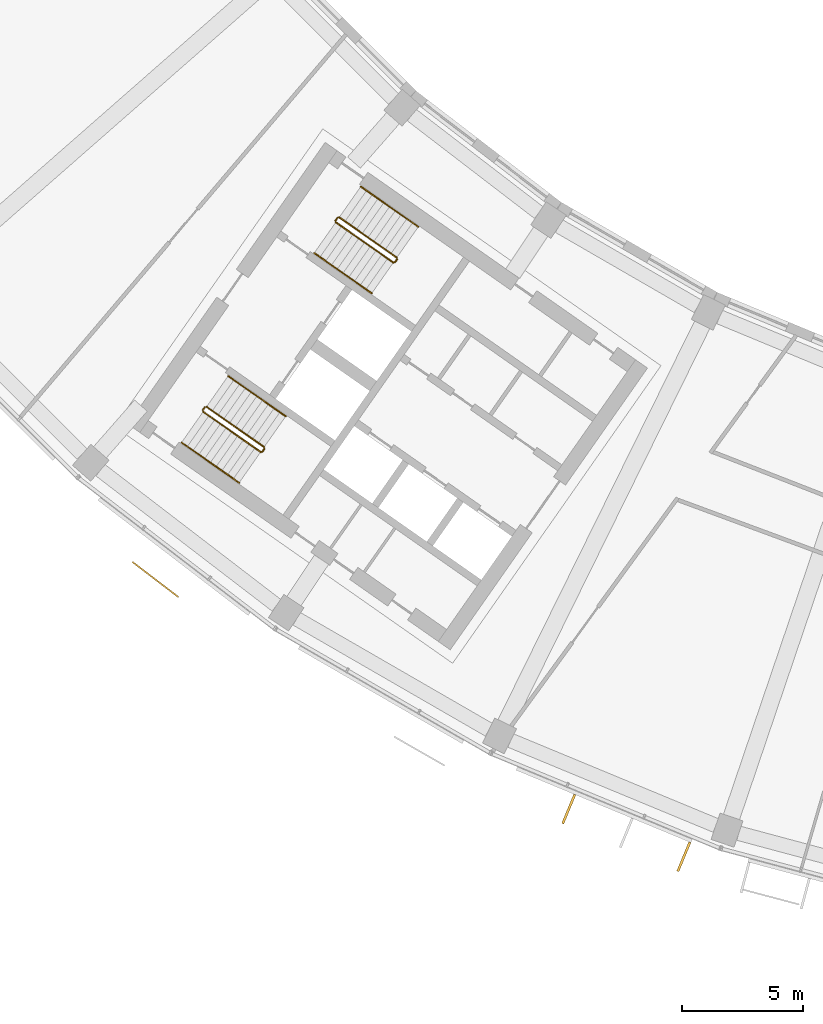
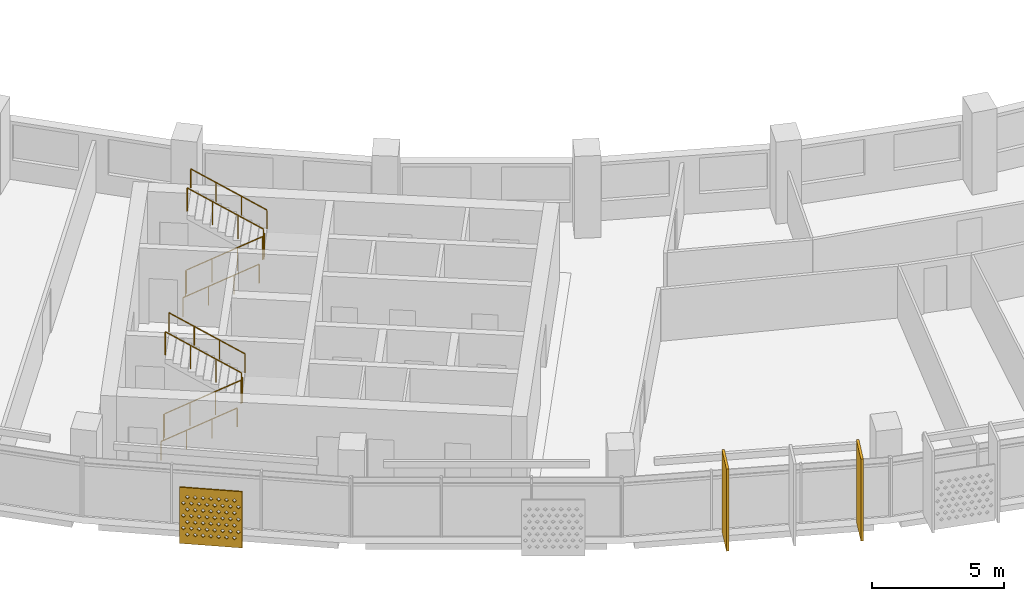
# One storey, part 23 of 27: 10 railings, 3 shading devices.
"""IFC4 building model written with IfcOpenShell, lengths in metres."""

from ifc_helpers import new_model, si_unit, direction, frame, origin, origin_2d, place, context, subcontext, project, spatial, polyline, rectangle, circle, outline, extrude, material, material_profile, profile_set, type_object, element, save


model = new_model("IFC4")

# Units and contexts
model_context = context("Model", 3, precision=1e-05, world=origin(), true_north=direction((0.0, 1.0)))
body_context = subcontext(model_context, "Body", "Model", "MODEL_VIEW")
ifc_project = project(units=[si_unit("LENGTHUNIT", "METRE"), si_unit("AREAUNIT", "SQUARE_METRE"), si_unit("VOLUMEUNIT", "CUBIC_METRE"), si_unit("PLANEANGLEUNIT", "RADIAN"), si_unit("MASSUNIT", "GRAM", prefix="KILO")], contexts=[model_context])

# Site, building, storey
site_placement = place(None, origin())
site = spatial("IfcSite", under=ifc_project, at=site_placement, CompositionType="ELEMENT")
building_placement = place(site_placement, origin())
building = spatial("IfcBuilding", under=site, at=building_placement, Name="Qamariyya Broadcast Tower", CompositionType="ELEMENT")
storey_placement = place(building_placement, frame((0.0, 0.0, 237.89990234375)))
storey = spatial("IfcBuildingStorey", under=building, at=storey_placement, Name="L57", CompositionType="ELEMENT", Elevation=237.89990234375)

# Shading device
ifc_material_1 = material(Name="Perforated glazed terracotta", Category="masonry")
ifc_material_profile_1 = material_profile(ifc_material_1, outline(polyline([(-1.199951171875, -1.300048828125), (1.199951171875, -1.300048828125), (1.199951171875, 1.300048828125), (-1.199951171875, 1.300048828125), (-1.199951171875, -1.300048828125)]), holes=[polyline([(-0.81494140625, -0.86669921875), (-0.89990234375, -0.78173828125), (-0.985107421875, -0.86669921875), (-0.89990234375, -0.95166015625), (-0.81494140625, -0.86669921875)]), polyline([(-0.514892578125, -0.86669921875), (-0.60009765625, -0.78173828125), (-0.68505859375, -0.86669921875), (-0.60009765625, -0.95166015625), (-0.514892578125, -0.86669921875)]), polyline([(-0.215087890625, -0.86669921875), (-0.300048828125, -0.78173828125), (-0.385009765625, -0.86669921875), (-0.300048828125, -0.95166015625), (-0.215087890625, -0.86669921875)]), polyline([(0.0849609375, -0.86669921875), (0.0, -0.78173828125), (-0.0849609375, -0.86669921875), (0.0, -0.95166015625), (0.0849609375, -0.86669921875)]), polyline([(0.385009765625, -0.86669921875), (0.300048828125, -0.78173828125), (0.215087890625, -0.86669921875), (0.300048828125, -0.95166015625), (0.385009765625, -0.86669921875)]), polyline([(0.68505859375, -0.86669921875), (0.60009765625, -0.78173828125), (0.514892578125, -0.86669921875), (0.60009765625, -0.95166015625), (0.68505859375, -0.86669921875)]), polyline([(0.985107421875, -0.86669921875), (0.89990234375, -0.78173828125), (0.81494140625, -0.86669921875), (0.89990234375, -0.95166015625), (0.985107421875, -0.86669921875)]), polyline([(-0.965087890625, -0.577880859375), (-1.050048828125, -0.49267578125), (-1.135009765625, -0.577880859375), (-1.050048828125, -0.662841796875), (-0.965087890625, -0.577880859375)]), polyline([(-0.6650390625, -0.577880859375), (-0.75, -0.49267578125), (-0.8349609375, -0.577880859375), (-0.75, -0.662841796875), (-0.6650390625, -0.577880859375)]), polyline([(-0.364990234375, -0.577880859375), (-0.449951171875, -0.49267578125), (-0.534912109375, -0.577880859375), (-0.449951171875, -0.662841796875), (-0.364990234375, -0.577880859375)]), polyline([(-0.06494140625, -0.577880859375), (-0.14990234375, -0.49267578125), (-0.235107421875, -0.577880859375), (-0.14990234375, -0.662841796875), (-0.06494140625, -0.577880859375)]), polyline([(0.235107421875, -0.577880859375), (0.14990234375, -0.49267578125), (0.06494140625, -0.577880859375), (0.14990234375, -0.662841796875), (0.235107421875, -0.577880859375)]), polyline([(0.534912109375, -0.577880859375), (0.449951171875, -0.49267578125), (0.364990234375, -0.577880859375), (0.449951171875, -0.662841796875), (0.534912109375, -0.577880859375)]), polyline([(0.8349609375, -0.577880859375), (0.75, -0.49267578125), (0.6650390625, -0.577880859375), (0.75, -0.662841796875), (0.8349609375, -0.577880859375)]), polyline([(1.135009765625, -0.577880859375), (1.050048828125, -0.49267578125), (0.965087890625, -0.577880859375), (1.050048828125, -0.662841796875), (1.135009765625, -0.577880859375)]), polyline([(-0.81494140625, -0.288818359375), (-0.89990234375, -0.203857421875), (-0.985107421875, -0.288818359375), (-0.89990234375, -0.373779296875), (-0.81494140625, -0.288818359375)]), polyline([(-0.514892578125, -0.288818359375), (-0.60009765625, -0.203857421875), (-0.68505859375, -0.288818359375), (-0.60009765625, -0.373779296875), (-0.514892578125, -0.288818359375)]), polyline([(-0.215087890625, -0.288818359375), (-0.300048828125, -0.203857421875), (-0.385009765625, -0.288818359375), (-0.300048828125, -0.373779296875), (-0.215087890625, -0.288818359375)]), polyline([(0.0849609375, -0.288818359375), (0.0, -0.203857421875), (-0.0849609375, -0.288818359375), (0.0, -0.373779296875), (0.0849609375, -0.288818359375)]), polyline([(0.385009765625, -0.288818359375), (0.300048828125, -0.203857421875), (0.215087890625, -0.288818359375), (0.300048828125, -0.373779296875), (0.385009765625, -0.288818359375)]), polyline([(0.68505859375, -0.288818359375), (0.60009765625, -0.203857421875), (0.514892578125, -0.288818359375), (0.60009765625, -0.373779296875), (0.68505859375, -0.288818359375)]), polyline([(0.985107421875, -0.288818359375), (0.89990234375, -0.203857421875), (0.81494140625, -0.288818359375), (0.89990234375, -0.373779296875), (0.985107421875, -0.288818359375)]), polyline([(-0.965087890625, 0.0), (-1.050048828125, 0.0849609375), (-1.135009765625, 0.0), (-1.050048828125, -0.0849609375), (-0.965087890625, 0.0)]), polyline([(-0.6650390625, 0.0), (-0.75, 0.0849609375), (-0.8349609375, 0.0), (-0.75, -0.0849609375), (-0.6650390625, 0.0)]), polyline([(-0.364990234375, 0.0), (-0.449951171875, 0.0849609375), (-0.534912109375, 0.0), (-0.449951171875, -0.0849609375), (-0.364990234375, 0.0)]), polyline([(-0.06494140625, 0.0), (-0.14990234375, 0.0849609375), (-0.235107421875, 0.0), (-0.14990234375, -0.0849609375), (-0.06494140625, 0.0)]), polyline([(0.235107421875, 0.0), (0.14990234375, 0.0849609375), (0.06494140625, 0.0), (0.14990234375, -0.0849609375), (0.235107421875, 0.0)]), polyline([(0.534912109375, 0.0), (0.449951171875, 0.0849609375), (0.364990234375, 0.0), (0.449951171875, -0.0849609375), (0.534912109375, 0.0)]), polyline([(0.8349609375, 0.0), (0.75, 0.0849609375), (0.6650390625, 0.0), (0.75, -0.0849609375), (0.8349609375, 0.0)]), polyline([(1.135009765625, 0.0), (1.050048828125, 0.0849609375), (0.965087890625, 0.0), (1.050048828125, -0.0849609375), (1.135009765625, 0.0)]), polyline([(-0.81494140625, 0.288818359375), (-0.89990234375, 0.373779296875), (-0.985107421875, 0.288818359375), (-0.89990234375, 0.203857421875), (-0.81494140625, 0.288818359375)]), polyline([(-0.514892578125, 0.288818359375), (-0.60009765625, 0.373779296875), (-0.68505859375, 0.288818359375), (-0.60009765625, 0.203857421875), (-0.514892578125, 0.288818359375)]), polyline([(-0.215087890625, 0.288818359375), (-0.300048828125, 0.373779296875), (-0.385009765625, 0.288818359375), (-0.300048828125, 0.203857421875), (-0.215087890625, 0.288818359375)]), polyline([(0.0849609375, 0.288818359375), (0.0, 0.373779296875), (-0.0849609375, 0.288818359375), (0.0, 0.203857421875), (0.0849609375, 0.288818359375)]), polyline([(0.385009765625, 0.288818359375), (0.300048828125, 0.373779296875), (0.215087890625, 0.288818359375), (0.300048828125, 0.203857421875), (0.385009765625, 0.288818359375)]), polyline([(0.68505859375, 0.288818359375), (0.60009765625, 0.373779296875), (0.514892578125, 0.288818359375), (0.60009765625, 0.203857421875), (0.68505859375, 0.288818359375)]), polyline([(0.985107421875, 0.288818359375), (0.89990234375, 0.373779296875), (0.81494140625, 0.288818359375), (0.89990234375, 0.203857421875), (0.985107421875, 0.288818359375)]), polyline([(-0.965087890625, 0.577880859375), (-1.050048828125, 0.662841796875), (-1.135009765625, 0.577880859375), (-1.050048828125, 0.49267578125), (-0.965087890625, 0.577880859375)]), polyline([(-0.6650390625, 0.577880859375), (-0.75, 0.662841796875), (-0.8349609375, 0.577880859375), (-0.75, 0.49267578125), (-0.6650390625, 0.577880859375)]), polyline([(-0.364990234375, 0.577880859375), (-0.449951171875, 0.662841796875), (-0.534912109375, 0.577880859375), (-0.449951171875, 0.49267578125), (-0.364990234375, 0.577880859375)]), polyline([(-0.06494140625, 0.577880859375), (-0.14990234375, 0.662841796875), (-0.235107421875, 0.577880859375), (-0.14990234375, 0.49267578125), (-0.06494140625, 0.577880859375)]), polyline([(0.235107421875, 0.577880859375), (0.14990234375, 0.662841796875), (0.06494140625, 0.577880859375), (0.14990234375, 0.49267578125), (0.235107421875, 0.577880859375)]), polyline([(0.534912109375, 0.577880859375), (0.449951171875, 0.662841796875), (0.364990234375, 0.577880859375), (0.449951171875, 0.49267578125), (0.534912109375, 0.577880859375)]), polyline([(0.8349609375, 0.577880859375), (0.75, 0.662841796875), (0.6650390625, 0.577880859375), (0.75, 0.49267578125), (0.8349609375, 0.577880859375)]), polyline([(1.135009765625, 0.577880859375), (1.050048828125, 0.662841796875), (0.965087890625, 0.577880859375), (1.050048828125, 0.49267578125), (1.135009765625, 0.577880859375)]), polyline([(-0.81494140625, 0.86669921875), (-0.89990234375, 0.95166015625), (-0.985107421875, 0.86669921875), (-0.89990234375, 0.78173828125), (-0.81494140625, 0.86669921875)]), polyline([(-0.514892578125, 0.86669921875), (-0.60009765625, 0.95166015625), (-0.68505859375, 0.86669921875), (-0.60009765625, 0.78173828125), (-0.514892578125, 0.86669921875)]), polyline([(-0.215087890625, 0.86669921875), (-0.300048828125, 0.95166015625), (-0.385009765625, 0.86669921875), (-0.300048828125, 0.78173828125), (-0.215087890625, 0.86669921875)]), polyline([(0.0849609375, 0.86669921875), (0.0, 0.95166015625), (-0.0849609375, 0.86669921875), (0.0, 0.78173828125), (0.0849609375, 0.86669921875)]), polyline([(0.385009765625, 0.86669921875), (0.300048828125, 0.95166015625), (0.215087890625, 0.86669921875), (0.300048828125, 0.78173828125), (0.385009765625, 0.86669921875)]), polyline([(0.68505859375, 0.86669921875), (0.60009765625, 0.95166015625), (0.514892578125, 0.86669921875), (0.60009765625, 0.78173828125), (0.68505859375, 0.86669921875)]), polyline([(0.985107421875, 0.86669921875), (0.89990234375, 0.95166015625), (0.81494140625, 0.86669921875), (0.89990234375, 0.78173828125), (0.985107421875, 0.86669921875)])]))
ifc_profile_set_1 = profile_set([ifc_material_profile_1], Name="Perforated glazed terracotta")
shading_device_type_1 = type_object("IfcShadingDeviceType", Name="Perforated terracotta screen 2400 x 2600", PredefinedType="USERDEFINED", material=ifc_profile_set_1)
shading_device_placement = place(storey_placement, frame((-48.578369140625, -63.249267578125, 1.35009765625), z_axis=(-0.607147566278, -0.794589096806, 0.0), x_axis=(0.794589096806, -0.607147566278, 0.0)))
element("IfcShadingDevice", 1, at=shading_device_placement, inside=storey, type_object=shading_device_type_1, Name="e-scr-L57-03-1", ObjectType="SCREEN", PredefinedType="USERDEFINED", context=body_context, shape_type="SweptSolid", body=[
    extrude(outline(polyline([(-1.199951171875, -1.300048828125), (1.199951171875, -1.300048828125), (1.199951171875, 1.300048828125), (-1.199951171875, 1.300048828125), (-1.199951171875, -1.300048828125)]), holes=[polyline([(-0.81494140625, -0.86669921875), (-0.89990234375, -0.78173828125), (-0.985107421875, -0.86669921875), (-0.89990234375, -0.95166015625), (-0.81494140625, -0.86669921875)]), polyline([(-0.514892578125, -0.86669921875), (-0.60009765625, -0.78173828125), (-0.68505859375, -0.86669921875), (-0.60009765625, -0.95166015625), (-0.514892578125, -0.86669921875)]), polyline([(-0.215087890625, -0.86669921875), (-0.300048828125, -0.78173828125), (-0.385009765625, -0.86669921875), (-0.300048828125, -0.95166015625), (-0.215087890625, -0.86669921875)]), polyline([(0.0849609375, -0.86669921875), (0.0, -0.78173828125), (-0.0849609375, -0.86669921875), (0.0, -0.95166015625), (0.0849609375, -0.86669921875)]), polyline([(0.385009765625, -0.86669921875), (0.300048828125, -0.78173828125), (0.215087890625, -0.86669921875), (0.300048828125, -0.95166015625), (0.385009765625, -0.86669921875)]), polyline([(0.68505859375, -0.86669921875), (0.60009765625, -0.78173828125), (0.514892578125, -0.86669921875), (0.60009765625, -0.95166015625), (0.68505859375, -0.86669921875)]), polyline([(0.985107421875, -0.86669921875), (0.89990234375, -0.78173828125), (0.81494140625, -0.86669921875), (0.89990234375, -0.95166015625), (0.985107421875, -0.86669921875)]), polyline([(-0.965087890625, -0.577880859375), (-1.050048828125, -0.49267578125), (-1.135009765625, -0.577880859375), (-1.050048828125, -0.662841796875), (-0.965087890625, -0.577880859375)]), polyline([(-0.6650390625, -0.577880859375), (-0.75, -0.49267578125), (-0.8349609375, -0.577880859375), (-0.75, -0.662841796875), (-0.6650390625, -0.577880859375)]), polyline([(-0.364990234375, -0.577880859375), (-0.449951171875, -0.49267578125), (-0.534912109375, -0.577880859375), (-0.449951171875, -0.662841796875), (-0.364990234375, -0.577880859375)]), polyline([(-0.06494140625, -0.577880859375), (-0.14990234375, -0.49267578125), (-0.235107421875, -0.577880859375), (-0.14990234375, -0.662841796875), (-0.06494140625, -0.577880859375)]), polyline([(0.235107421875, -0.577880859375), (0.14990234375, -0.49267578125), (0.06494140625, -0.577880859375), (0.14990234375, -0.662841796875), (0.235107421875, -0.577880859375)]), polyline([(0.534912109375, -0.577880859375), (0.449951171875, -0.49267578125), (0.364990234375, -0.577880859375), (0.449951171875, -0.662841796875), (0.534912109375, -0.577880859375)]), polyline([(0.8349609375, -0.577880859375), (0.75, -0.49267578125), (0.6650390625, -0.577880859375), (0.75, -0.662841796875), (0.8349609375, -0.577880859375)]), polyline([(1.135009765625, -0.577880859375), (1.050048828125, -0.49267578125), (0.965087890625, -0.577880859375), (1.050048828125, -0.662841796875), (1.135009765625, -0.577880859375)]), polyline([(-0.81494140625, -0.288818359375), (-0.89990234375, -0.203857421875), (-0.985107421875, -0.288818359375), (-0.89990234375, -0.373779296875), (-0.81494140625, -0.288818359375)]), polyline([(-0.514892578125, -0.288818359375), (-0.60009765625, -0.203857421875), (-0.68505859375, -0.288818359375), (-0.60009765625, -0.373779296875), (-0.514892578125, -0.288818359375)]), polyline([(-0.215087890625, -0.288818359375), (-0.300048828125, -0.203857421875), (-0.385009765625, -0.288818359375), (-0.300048828125, -0.373779296875), (-0.215087890625, -0.288818359375)]), polyline([(0.0849609375, -0.288818359375), (0.0, -0.203857421875), (-0.0849609375, -0.288818359375), (0.0, -0.373779296875), (0.0849609375, -0.288818359375)]), polyline([(0.385009765625, -0.288818359375), (0.300048828125, -0.203857421875), (0.215087890625, -0.288818359375), (0.300048828125, -0.373779296875), (0.385009765625, -0.288818359375)]), polyline([(0.68505859375, -0.288818359375), (0.60009765625, -0.203857421875), (0.514892578125, -0.288818359375), (0.60009765625, -0.373779296875), (0.68505859375, -0.288818359375)]), polyline([(0.985107421875, -0.288818359375), (0.89990234375, -0.203857421875), (0.81494140625, -0.288818359375), (0.89990234375, -0.373779296875), (0.985107421875, -0.288818359375)]), polyline([(-0.965087890625, 0.0), (-1.050048828125, 0.0849609375), (-1.135009765625, 0.0), (-1.050048828125, -0.0849609375), (-0.965087890625, 0.0)]), polyline([(-0.6650390625, 0.0), (-0.75, 0.0849609375), (-0.8349609375, 0.0), (-0.75, -0.0849609375), (-0.6650390625, 0.0)]), polyline([(-0.364990234375, 0.0), (-0.449951171875, 0.0849609375), (-0.534912109375, 0.0), (-0.449951171875, -0.0849609375), (-0.364990234375, 0.0)]), polyline([(-0.06494140625, 0.0), (-0.14990234375, 0.0849609375), (-0.235107421875, 0.0), (-0.14990234375, -0.0849609375), (-0.06494140625, 0.0)]), polyline([(0.235107421875, 0.0), (0.14990234375, 0.0849609375), (0.06494140625, 0.0), (0.14990234375, -0.0849609375), (0.235107421875, 0.0)]), polyline([(0.534912109375, 0.0), (0.449951171875, 0.0849609375), (0.364990234375, 0.0), (0.449951171875, -0.0849609375), (0.534912109375, 0.0)]), polyline([(0.8349609375, 0.0), (0.75, 0.0849609375), (0.6650390625, 0.0), (0.75, -0.0849609375), (0.8349609375, 0.0)]), polyline([(1.135009765625, 0.0), (1.050048828125, 0.0849609375), (0.965087890625, 0.0), (1.050048828125, -0.0849609375), (1.135009765625, 0.0)]), polyline([(-0.81494140625, 0.288818359375), (-0.89990234375, 0.373779296875), (-0.985107421875, 0.288818359375), (-0.89990234375, 0.203857421875), (-0.81494140625, 0.288818359375)]), polyline([(-0.514892578125, 0.288818359375), (-0.60009765625, 0.373779296875), (-0.68505859375, 0.288818359375), (-0.60009765625, 0.203857421875), (-0.514892578125, 0.288818359375)]), polyline([(-0.215087890625, 0.288818359375), (-0.300048828125, 0.373779296875), (-0.385009765625, 0.288818359375), (-0.300048828125, 0.203857421875), (-0.215087890625, 0.288818359375)]), polyline([(0.0849609375, 0.288818359375), (0.0, 0.373779296875), (-0.0849609375, 0.288818359375), (0.0, 0.203857421875), (0.0849609375, 0.288818359375)]), polyline([(0.385009765625, 0.288818359375), (0.300048828125, 0.373779296875), (0.215087890625, 0.288818359375), (0.300048828125, 0.203857421875), (0.385009765625, 0.288818359375)]), polyline([(0.68505859375, 0.288818359375), (0.60009765625, 0.373779296875), (0.514892578125, 0.288818359375), (0.60009765625, 0.203857421875), (0.68505859375, 0.288818359375)]), polyline([(0.985107421875, 0.288818359375), (0.89990234375, 0.373779296875), (0.81494140625, 0.288818359375), (0.89990234375, 0.203857421875), (0.985107421875, 0.288818359375)]), polyline([(-0.965087890625, 0.577880859375), (-1.050048828125, 0.662841796875), (-1.135009765625, 0.577880859375), (-1.050048828125, 0.49267578125), (-0.965087890625, 0.577880859375)]), polyline([(-0.6650390625, 0.577880859375), (-0.75, 0.662841796875), (-0.8349609375, 0.577880859375), (-0.75, 0.49267578125), (-0.6650390625, 0.577880859375)]), polyline([(-0.364990234375, 0.577880859375), (-0.449951171875, 0.662841796875), (-0.534912109375, 0.577880859375), (-0.449951171875, 0.49267578125), (-0.364990234375, 0.577880859375)]), polyline([(-0.06494140625, 0.577880859375), (-0.14990234375, 0.662841796875), (-0.235107421875, 0.577880859375), (-0.14990234375, 0.49267578125), (-0.06494140625, 0.577880859375)]), polyline([(0.235107421875, 0.577880859375), (0.14990234375, 0.662841796875), (0.06494140625, 0.577880859375), (0.14990234375, 0.49267578125), (0.235107421875, 0.577880859375)]), polyline([(0.534912109375, 0.577880859375), (0.449951171875, 0.662841796875), (0.364990234375, 0.577880859375), (0.449951171875, 0.49267578125), (0.534912109375, 0.577880859375)]), polyline([(0.8349609375, 0.577880859375), (0.75, 0.662841796875), (0.6650390625, 0.577880859375), (0.75, 0.49267578125), (0.8349609375, 0.577880859375)]), polyline([(1.135009765625, 0.577880859375), (1.050048828125, 0.662841796875), (0.965087890625, 0.577880859375), (1.050048828125, 0.49267578125), (1.135009765625, 0.577880859375)]), polyline([(-0.81494140625, 0.86669921875), (-0.89990234375, 0.95166015625), (-0.985107421875, 0.86669921875), (-0.89990234375, 0.78173828125), (-0.81494140625, 0.86669921875)]), polyline([(-0.514892578125, 0.86669921875), (-0.60009765625, 0.95166015625), (-0.68505859375, 0.86669921875), (-0.60009765625, 0.78173828125), (-0.514892578125, 0.86669921875)]), polyline([(-0.215087890625, 0.86669921875), (-0.300048828125, 0.95166015625), (-0.385009765625, 0.86669921875), (-0.300048828125, 0.78173828125), (-0.215087890625, 0.86669921875)]), polyline([(0.0849609375, 0.86669921875), (0.0, 0.95166015625), (-0.0849609375, 0.86669921875), (0.0, 0.78173828125), (0.0849609375, 0.86669921875)]), polyline([(0.385009765625, 0.86669921875), (0.300048828125, 0.95166015625), (0.215087890625, 0.86669921875), (0.300048828125, 0.78173828125), (0.385009765625, 0.86669921875)]), polyline([(0.68505859375, 0.86669921875), (0.60009765625, 0.95166015625), (0.514892578125, 0.86669921875), (0.60009765625, 0.78173828125), (0.68505859375, 0.86669921875)]), polyline([(0.985107421875, 0.86669921875), (0.89990234375, 0.95166015625), (0.81494140625, 0.86669921875), (0.89990234375, 0.78173828125), (0.985107421875, 0.86669921875)])]), origin(), (0.0, 0.0, 1.0), 0.059814453125),
])

# Railings
ifc_material_2 = material(Name="Painted steel", Category="steel")
railing_type_1 = type_object("IfcRailingType", Name="Stair guard", PredefinedType="GUARDRAIL", material=ifc_material_2)
railing_1_placement = place(storey_placement, frame((-41.146728515625, -48.52490234375, 0.1728515625)))
element("IfcRailing", 2, at=railing_1_placement, inside=storey, type_object=railing_type_1, Name="L57 ST-W2 stair guard 1", PredefinedType="GUARDRAIL", context=body_context, shape_type="SweptSolid", body=[
    extrude(circle(Radius=0.02392578125, at=origin_2d()), frame((0.0, 0.0, 1.076171875), z_axis=(0.703770094002, -0.492783725636, 0.511734163933), x_axis=(0.573575343427, 0.819152809562, 0.0)), (0.0, 0.0, 1.0), 3.37548828125),
    extrude(circle(Radius=0.02392578125, at=origin_2d()), frame((2.37548828125, -1.663330078125, 2.80322265625), z_axis=(0.985059694769, 0.172213233351, 0.0), x_axis=(-0.172213233351, 0.985059694769, 0.0)), (0.0, 0.0, 1.0), 0.07080078125),
    extrude(circle(Radius=0.02392578125, at=origin_2d()), frame((2.4453125, -1.651123046875, 2.80322265625), z_axis=(0.572588637393, 0.819842821722, 0.0), x_axis=(-0.819842821722, 0.572588637393, 0.0)), (0.0, 0.0, 1.0), 0.150146484375),
    extrude(circle(Radius=0.02099609375, at=origin_2d()), origin(), (0.0, 0.0, 1.0), 1.052001953125),
    extrude(circle(Radius=0.02099609375, at=origin_2d()), frame((0.791748046875, -0.554443359375, 0.57568359375)), (0.0, 0.0, 1.0), 1.052001953125),
    extrude(circle(Radius=0.02099609375, at=origin_2d()), frame((1.583740234375, -1.10888671875, 1.151611328125)), (0.0, 0.0, 1.0), 1.052001953125),
    extrude(circle(Radius=0.02099609375, at=origin_2d()), frame((2.37548828125, -1.663330078125, 1.727294921875)), (0.0, 0.0, 1.0), 1.052001953125),
    extrude(circle(Radius=0.02099609375, at=origin_2d()), frame((2.4453125, -1.651123046875, 1.727294921875)), (0.0, 0.0, 1.0), 1.052001953125),
    extrude(circle(Radius=0.02099609375, at=origin_2d()), frame((2.53125, -1.528076171875, 1.727294921875)), (0.0, 0.0, 1.0), 1.052001953125),
])
railing_2_placement = place(storey_placement, frame((-38.627685546875, -49.9833984375, 2.07275390625)))
element("IfcRailing", 3, at=railing_2_placement, inside=storey, type_object=railing_type_1, Name="L57 ST-W2 stair guard 2", PredefinedType="GUARDRAIL", context=body_context, shape_type="SweptSolid", body=[
    extrude(circle(Radius=0.02392578125, at=origin_2d()), frame((0.0, 0.0, 1.076171875), z_axis=(-0.703770094002, 0.492783725636, 0.511734163933), x_axis=(-0.573575343427, -0.819152809562, 0.0)), (0.0, 0.0, 1.0), 3.37548828125),
    extrude(circle(Radius=0.02099609375, at=origin_2d()), origin(), (0.0, 0.0, 1.0), 1.052001953125),
    extrude(circle(Radius=0.02099609375, at=origin_2d()), frame((-0.791748046875, 0.554443359375, 0.57568359375)), (0.0, 0.0, 1.0), 1.052001953125),
    extrude(circle(Radius=0.02099609375, at=origin_2d()), frame((-1.583740234375, 1.10888671875, 1.151611328125)), (0.0, 0.0, 1.0), 1.052001953125),
    extrude(circle(Radius=0.02099609375, at=origin_2d()), frame((-2.37548828125, 1.663330078125, 1.727294921875)), (0.0, 0.0, 1.0), 1.052001953125),
])
railing_3_placement = place(storey_placement, frame((-41.158935546875, -48.455322265625, 0.0)))
element("IfcRailing", 4, at=railing_3_placement, inside=storey, type_object=railing_type_1, Name="L57 ST-W2 stair guard 3", PredefinedType="GUARDRAIL", context=body_context, shape_type="SweptSolid", body=[
    extrude(circle(Radius=0.02392578125, at=origin_2d()), frame((0.0, 0.0, 1.076171875), z_axis=(0.572588637393, 0.819842821722, 0.0), x_axis=(-0.819842821722, 0.572588637393, 0.0)), (0.0, 0.0, 1.0), 0.150146484375),
    extrude(circle(Radius=0.02099609375, at=origin_2d()), origin(), (0.0, 0.0, 1.0), 1.052001953125),
    extrude(circle(Radius=0.02099609375, at=origin_2d()), frame((0.0859375, 0.123046875, 0.0)), (0.0, 0.0, 1.0), 1.052001953125),
])
railing_4_placement = place(storey_placement, frame((-46.624267578125, -56.34765625, 0.1728515625)))
element("IfcRailing", 5, at=railing_4_placement, inside=storey, type_object=railing_type_1, Name="L57 ST-W1 stair guard 1", PredefinedType="GUARDRAIL", context=body_context, shape_type="SweptSolid", body=[
    extrude(circle(Radius=0.02392578125, at=origin_2d()), frame((0.0, 0.0, 1.076171875), z_axis=(0.703745009021, -0.492838488332, 0.511715923826), x_axis=(0.573631830683, 0.819113253969, 0.0)), (0.0, 0.0, 1.0), 3.37548828125),
    extrude(circle(Radius=0.02392578125, at=origin_2d()), frame((2.37548828125, -1.66357421875, 2.80322265625), z_axis=(0.984363469884, 0.176149252506, 0.0), x_axis=(-0.176149252506, 0.984363469884, 0.0)), (0.0, 0.0, 1.0), 0.07080078125),
    extrude(circle(Radius=0.02392578125, at=origin_2d()), frame((2.445068359375, -1.651123046875, 2.80322265625), z_axis=(0.574444878118, 0.818543268254, 0.0), x_axis=(-0.818543268254, 0.574444878118, 0.0)), (0.0, 0.0, 1.0), 0.150146484375),
    extrude(circle(Radius=0.02099609375, at=origin_2d()), origin(), (0.0, 0.0, 1.0), 1.052001953125),
    extrude(circle(Radius=0.02099609375, at=origin_2d()), frame((0.791748046875, -0.554443359375, 0.57568359375)), (0.0, 0.0, 1.0), 1.052001953125),
    extrude(circle(Radius=0.02099609375, at=origin_2d()), frame((1.583740234375, -1.109130859375, 1.151611328125)), (0.0, 0.0, 1.0), 1.052001953125),
    extrude(circle(Radius=0.02099609375, at=origin_2d()), frame((2.37548828125, -1.66357421875, 1.727294921875)), (0.0, 0.0, 1.0), 1.052001953125),
    extrude(circle(Radius=0.02099609375, at=origin_2d()), frame((2.445068359375, -1.651123046875, 1.727294921875)), (0.0, 0.0, 1.0), 1.052001953125),
    extrude(circle(Radius=0.02099609375, at=origin_2d()), frame((2.53125, -1.5283203125, 1.727294921875)), (0.0, 0.0, 1.0), 1.052001953125),
])
railing_5_placement = place(storey_placement, frame((-44.10546875, -57.806396484375, 2.07275390625)))
element("IfcRailing", 6, at=railing_5_placement, inside=storey, type_object=railing_type_1, Name="L57 ST-W1 stair guard 2", PredefinedType="GUARDRAIL", context=body_context, shape_type="SweptSolid", body=[
    extrude(circle(Radius=0.02392578125, at=origin_2d()), frame((0.0, 0.0, 1.076171875), z_axis=(-0.703770094002, 0.492783725636, 0.511734163933), x_axis=(-0.573575343427, -0.819152809562, 0.0)), (0.0, 0.0, 1.0), 3.37548828125),
    extrude(circle(Radius=0.02099609375, at=origin_2d()), origin(), (0.0, 0.0, 1.0), 1.052001953125),
    extrude(circle(Radius=0.02099609375, at=origin_2d()), frame((-0.791748046875, 0.554443359375, 0.57568359375)), (0.0, 0.0, 1.0), 1.052001953125),
    extrude(circle(Radius=0.02099609375, at=origin_2d()), frame((-1.583740234375, 1.10888671875, 1.151611328125)), (0.0, 0.0, 1.0), 1.052001953125),
    extrude(circle(Radius=0.02099609375, at=origin_2d()), frame((-2.37548828125, 1.663330078125, 1.727294921875)), (0.0, 0.0, 1.0), 1.052001953125),
])
railing_6_placement = place(storey_placement, frame((-46.63671875, -56.278076171875, 0.0)))
element("IfcRailing", 7, at=railing_6_placement, inside=storey, type_object=railing_type_1, Name="L57 ST-W1 stair guard 3", PredefinedType="GUARDRAIL", context=body_context, shape_type="SweptSolid", body=[
    extrude(circle(Radius=0.02392578125, at=origin_2d()), frame((0.0, 0.0, 1.076171875), z_axis=(0.574444878118, 0.818543268254, 0.0), x_axis=(-0.818543268254, 0.574444878118, 0.0)), (0.0, 0.0, 1.0), 0.150146484375),
    extrude(circle(Radius=0.02099609375, at=origin_2d()), origin(), (0.0, 0.0, 1.0), 1.052001953125),
    extrude(circle(Radius=0.02099609375, at=origin_2d()), frame((0.086181640625, 0.122802734375, 0.0)), (0.0, 0.0, 1.0), 1.052001953125),
])
ifc_material_3 = material(Name="Stainless steel", Category="steel")
railing_type_2 = type_object("IfcRailingType", Name="Stair handrail", PredefinedType="HANDRAIL", material=ifc_material_3)
railing_7_placement = place(storey_placement, frame((-42.03564453125, -49.79443359375, 0.1728515625)))
element("IfcRailing", 8, at=railing_7_placement, inside=storey, type_object=railing_type_2, Name="L57 ST-W2 stair handrail 1", PredefinedType="HANDRAIL", context=body_context, shape_type="SweptSolid", body=[
    extrude(circle(Radius=0.02392578125, at=origin_2d()), frame((0.0, 0.0, 0.8759765625), z_axis=(0.703745009021, -0.492838488332, 0.511715923826), x_axis=(0.573631830683, 0.819113253969, 0.0)), (0.0, 0.0, 1.0), 3.37548828125),
    extrude(circle(Radius=0.02099609375, at=origin_2d()), origin(), (0.0, 0.0, 1.0), 0.851806640625),
    extrude(circle(Radius=0.02099609375, at=origin_2d()), frame((0.791748046875, -0.554443359375, 0.57568359375)), (0.0, 0.0, 1.0), 0.851806640625),
    extrude(circle(Radius=0.02099609375, at=origin_2d()), frame((1.583740234375, -1.109130859375, 1.151611328125)), (0.0, 0.0, 1.0), 0.851806640625),
    extrude(circle(Radius=0.02099609375, at=origin_2d()), frame((2.37548828125, -1.66357421875, 1.727294921875)), (0.0, 0.0, 1.0), 0.851806640625),
])
railing_8_placement = place(storey_placement, frame((-37.73876953125, -48.7138671875, 2.07275390625)))
element("IfcRailing", 9, at=railing_8_placement, inside=storey, type_object=railing_type_2, Name="L57 ST-W2 stair handrail 2", PredefinedType="HANDRAIL", context=body_context, shape_type="SweptSolid", body=[
    extrude(circle(Radius=0.02392578125, at=origin_2d()), frame((0.0, 0.0, 0.8759765625), z_axis=(-0.703745009021, 0.492838488332, 0.511715923826), x_axis=(-0.573631830683, -0.819113253969, 0.0)), (0.0, 0.0, 1.0), 3.37548828125),
    extrude(circle(Radius=0.02099609375, at=origin_2d()), origin(), (0.0, 0.0, 1.0), 0.851806640625),
    extrude(circle(Radius=0.02099609375, at=origin_2d()), frame((-0.791748046875, 0.554443359375, 0.57568359375)), (0.0, 0.0, 1.0), 0.851806640625),
    extrude(circle(Radius=0.02099609375, at=origin_2d()), frame((-1.583740234375, 1.109130859375, 1.151611328125)), (0.0, 0.0, 1.0), 0.851806640625),
    extrude(circle(Radius=0.02099609375, at=origin_2d()), frame((-2.37548828125, 1.66357421875, 1.727294921875)), (0.0, 0.0, 1.0), 0.851806640625),
])
railing_9_placement = place(storey_placement, frame((-47.513427734375, -57.617431640625, 0.1728515625)))
element("IfcRailing", 10, at=railing_9_placement, inside=storey, type_object=railing_type_2, Name="L57 ST-W1 stair handrail 1", PredefinedType="HANDRAIL", context=body_context, shape_type="SweptSolid", body=[
    extrude(circle(Radius=0.02392578125, at=origin_2d()), frame((0.0, 0.0, 0.8759765625), z_axis=(0.703770094002, -0.492783725636, 0.511734163933), x_axis=(0.573575343427, 0.819152809562, 0.0)), (0.0, 0.0, 1.0), 3.37548828125),
    extrude(circle(Radius=0.02099609375, at=origin_2d()), origin(), (0.0, 0.0, 1.0), 0.851806640625),
    extrude(circle(Radius=0.02099609375, at=origin_2d()), frame((0.791748046875, -0.554443359375, 0.57568359375)), (0.0, 0.0, 1.0), 0.851806640625),
    extrude(circle(Radius=0.02099609375, at=origin_2d()), frame((1.583740234375, -1.10888671875, 1.151611328125)), (0.0, 0.0, 1.0), 0.851806640625),
    extrude(circle(Radius=0.02099609375, at=origin_2d()), frame((2.37548828125, -1.663330078125, 1.727294921875)), (0.0, 0.0, 1.0), 0.851806640625),
])
railing_10_placement = place(storey_placement, frame((-43.21630859375, -56.53662109375, 2.07275390625)))
element("IfcRailing", 11, at=railing_10_placement, inside=storey, type_object=railing_type_2, Name="L57 ST-W1 stair handrail 2", PredefinedType="HANDRAIL", context=body_context, shape_type="SweptSolid", body=[
    extrude(circle(Radius=0.02392578125, at=origin_2d()), frame((0.0, 0.0, 0.8759765625), z_axis=(-0.703770094002, 0.492783725636, 0.511734163933), x_axis=(-0.573575343427, -0.819152809562, 0.0)), (0.0, 0.0, 1.0), 3.37548828125),
    extrude(circle(Radius=0.02099609375, at=origin_2d()), origin(), (0.0, 0.0, 1.0), 0.851806640625),
    extrude(circle(Radius=0.02099609375, at=origin_2d()), frame((-0.791748046875, 0.554443359375, 0.57568359375)), (0.0, 0.0, 1.0), 0.851806640625),
    extrude(circle(Radius=0.02099609375, at=origin_2d()), frame((-1.583740234375, 1.10888671875, 1.151611328125)), (0.0, 0.0, 1.0), 0.851806640625),
    extrude(circle(Radius=0.02099609375, at=origin_2d()), frame((-2.37548828125, 1.663330078125, 1.727294921875)), (0.0, 0.0, 1.0), 0.851806640625),
])

# Shading devices
ifc_material_4 = material(Name="Glazed terracotta", Category="masonry")
ifc_material_profile_2 = material_profile(ifc_material_4, rectangle(XDim=1.300048828125, YDim=0.10009765625, at=origin_2d()))
ifc_profile_set_2 = profile_set([ifc_material_profile_2], Name="Glazed terracotta")
shading_device_type_2 = type_object("IfcShadingDeviceType", Name="Terracotta fin 100 x 1300", PredefinedType="USERDEFINED", material=ifc_profile_set_2)
for number, where, z_axis, x_axis, name in (
    (12, (-31.52783203125, -72.754638671875, 0.0), (0.0, 0.0, 1.0), (-0.382683432365, -0.923879532511, 0.0), "e-fin-L57-05-1"),
    (13, (-26.775390625, -74.72314453125, 0.0), (0.0, 0.0, 1.0), (-0.382683432365, -0.923879532511, 0.0), "e-fin-L57-05-3"),
):
    element("IfcShadingDevice", number, at=place(storey_placement, frame(where, z_axis=z_axis, x_axis=x_axis)), inside=storey, type_object=shading_device_type_2, Name=name, ObjectType="FIN", PredefinedType="USERDEFINED", context=body_context, shape_type="SweptSolid", body=[
        extrude(rectangle(XDim=1.300048828125, YDim=0.10009765625, at=origin_2d()), origin(), (0.0, 0.0, 1.0), 3.800048828125),
    ])

save(model, "model.ifc")
